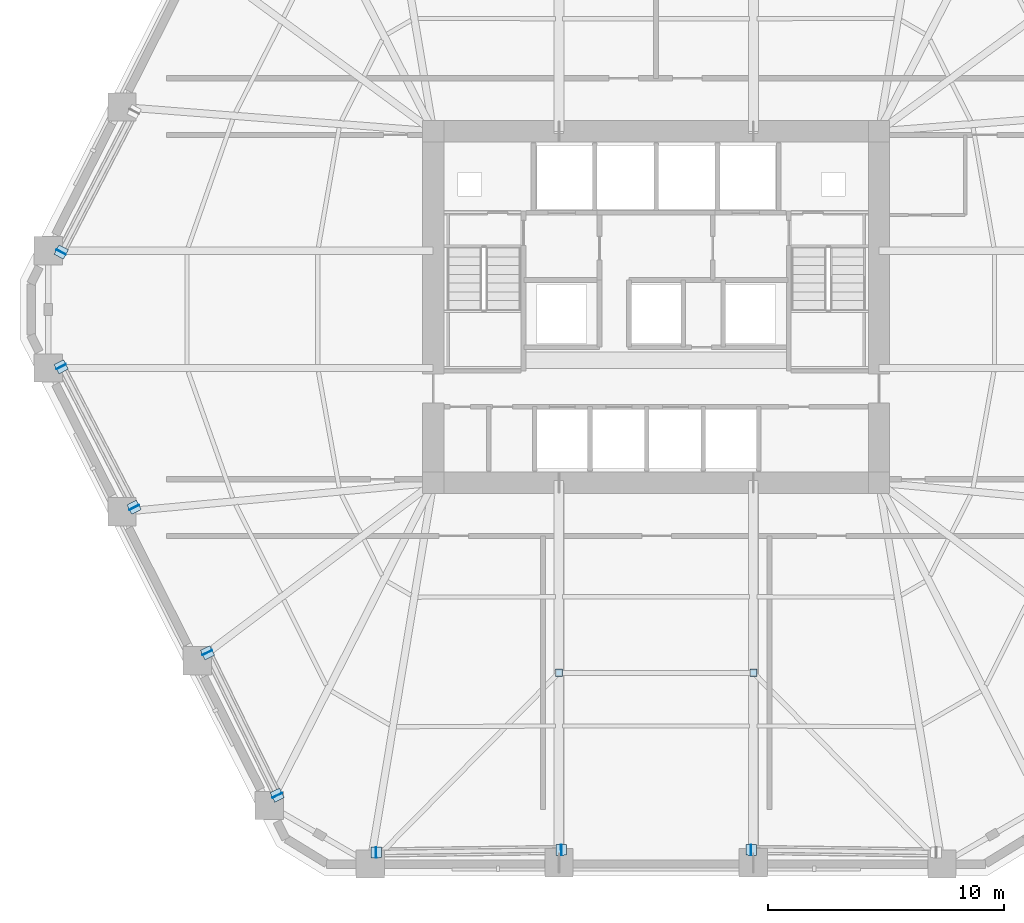
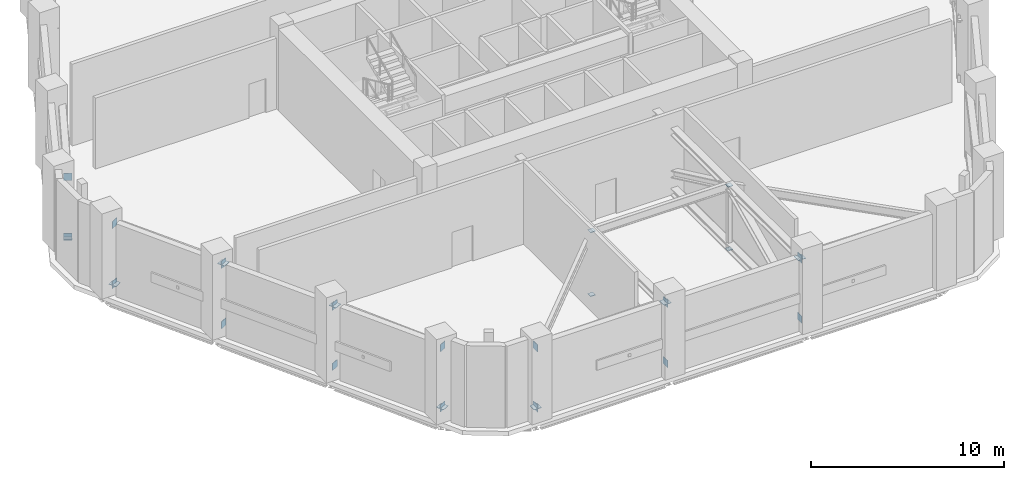
# One storey, part 7 of 19: 28 plates.
"""IFC4 building model written with IfcOpenShell, lengths in metres."""

from ifc_helpers import new_model, si_unit, direction, frame, origin, origin_2d, place, context, subcontext, project, spatial, rectangle, extrude, material, layer, layer_set, type_object, element, save


model = new_model("IFC4")

# Units and contexts
model_context = context("Model", 3, precision=1e-05, world=origin(), true_north=direction((0.0, 1.0)))
body_context = subcontext(model_context, "Body", "Model", "MODEL_VIEW")
ifc_project = project(units=[si_unit("LENGTHUNIT", "METRE"), si_unit("AREAUNIT", "SQUARE_METRE"), si_unit("VOLUMEUNIT", "CUBIC_METRE"), si_unit("PLANEANGLEUNIT", "RADIAN"), si_unit("MASSUNIT", "GRAM", prefix="KILO")], contexts=[model_context])

# Site, building, storey
site_placement = place(None, origin())
site = spatial("IfcSite", under=ifc_project, at=site_placement, CompositionType="ELEMENT")
building_placement = place(site_placement, origin())
building = spatial("IfcBuilding", under=site, at=building_placement, Name="Cinnabar Lancet Tower", CompositionType="ELEMENT")
storey_placement = place(building_placement, frame((0.0, 0.0, 74.60009765625)))
storey = spatial("IfcBuildingStorey", under=building, at=storey_placement, Name="L19", CompositionType="ELEMENT", Elevation=74.60009765625)

# Plates
ifc_material = material(Name="Structural steel S460", Category="steel")
ifc_layer = layer(ifc_material, 0.030029296875)
ifc_layer_set = layer_set([ifc_layer], Name="Structural steel S460")
plate_type = type_object("IfcPlateType", Name="STR-PL-CAP-25", PredefinedType="SHEET", material=ifc_layer_set)
for number, where, z_axis, x_axis, name in (
    (1, (28.278076171875, 10.39599609375, -0.02490234375), (0.0, 0.0, 1.0), (1.0, 0.0, 0.0), "Hollow section end cap plate CP-OTVP-L19-1B"),
    (2, (28.278076171875, 10.39599609375, 4.02490234375), (0.0, 0.0, 1.0), (1.0, 0.0, 0.0), "Hollow section end cap plate CP-OTVP-L19-1T"),
    (3, (36.52197265625, 10.39599609375, -0.02490234375), (0.0, 0.0, 1.0), (1.0, 0.0, 0.0), "Hollow section end cap plate CP-OTVP-L19-2B"),
    (4, (36.52197265625, 10.39599609375, 4.02490234375), (0.0, 0.0, 1.0), (1.0, 0.0, 0.0), "Hollow section end cap plate CP-OTVP-L19-2T"),
):
    element("IfcPlate", number, at=place(storey_placement, frame(where, z_axis=z_axis, x_axis=x_axis)), inside=storey, type_object=plate_type, Name=name, PredefinedType="SHEET", context=body_context, shape_type="SweptSolid", body=[
        extrude(rectangle(XDim=0.300048828125, YDim=0.300048828125, at=origin_2d()), origin(), (0.0, 0.0, 1.0), 0.030029296875),
    ])
for number, where, z_axis, x_axis, name in (
    (5, (20.527099609375, 2.778076171875, -0.0048828125), (0.0, 0.0, 1.0), (-0.999908520976, -0.013525889243, 0.0), "Hollow section end cap plate CP-BTC-L19-1-1-BC0"),
    (6, (28.381103515625, 2.884033203125, -0.0048828125), (0.0, 0.0, 1.0), (0.999908520976, 0.013525889243, 0.0), "Hollow section end cap plate CP-BTC-L19-1-1-BC1"),
    (7, (20.527099609375, 2.778076171875, 3.8046875), (0.0, 0.0, 1.0), (-0.999908520976, -0.013525889243, 0.0), "Hollow section end cap plate CP-BTC-L19-1-1-TC0"),
    (8, (28.381103515625, 2.884033203125, 3.8046875), (0.0, 0.0, 1.0), (0.999908520976, 0.013525889243, 0.0), "Hollow section end cap plate CP-BTC-L19-1-1-TC1"),
):
    element("IfcPlate", number, at=place(storey_placement, frame(where, z_axis=z_axis, x_axis=x_axis)), inside=storey, type_object=plate_type, Name=name, PredefinedType="SHEET", context=body_context, shape_type="SweptSolid", body=[
        extrude(rectangle(XDim=0.030029296875, YDim=0.449951171875, at=origin_2d()), origin(), (0.0, 0.0, 1.0), 0.449951171875),
    ])
for number, where, z_axis, x_axis, name in (
    (9, (20.534912109375, 2.778076171875, 0.19482421875), (0.0, 0.0, 1.0), (-0.999908520976, -0.013525889243, 0.0), "Hollow section end cap plate CP-BTD-L19-1-1-0"),
    (10, (28.373046875, 2.884033203125, 4.02490234375), (0.0, 0.0, 1.0), (0.999908520976, 0.013525889243, 0.0), "Hollow section end cap plate CP-BTD-L19-1-1-1"),
):
    element("IfcPlate", number, at=place(storey_placement, frame(where, z_axis=z_axis, x_axis=x_axis)), inside=storey, type_object=plate_type, Name=name, PredefinedType="SHEET", context=body_context, shape_type="SweptSolid", body=[
        extrude(rectangle(XDim=0.449951171875, YDim=0.449951171875, at=origin_2d()), origin(), (0.0, 0.0, 1.0), 0.030029296875),
    ])
for number, where, z_axis, x_axis, name in (
    (11, (36.4189453125, 2.884033203125, -0.0048828125), (0.0, 0.0, 1.0), (-0.999908520976, 0.013525889243, 0.0), "Hollow section end cap plate CP-BTC-L19-1-3-BC0"),
    (12, (36.4189453125, 2.884033203125, 3.8046875), (0.0, 0.0, 1.0), (-0.999908520976, 0.013525889243, 0.0), "Hollow section end cap plate CP-BTC-L19-1-3-TC0"),
):
    element("IfcPlate", number, at=place(storey_placement, frame(where, z_axis=z_axis, x_axis=x_axis)), inside=storey, type_object=plate_type, Name=name, PredefinedType="SHEET", context=body_context, shape_type="SweptSolid", body=[
        extrude(rectangle(XDim=0.030029296875, YDim=0.449951171875, at=origin_2d()), origin(), (0.0, 0.0, 1.0), 0.449951171875),
    ])
plate_1_placement = place(storey_placement, frame((36.427001953125, 2.884033203125, 4.02490234375), z_axis=(0.0, 0.0, 1.0), x_axis=(-0.999908520976, 0.013525889243, 0.0)))
element("IfcPlate", 13, at=plate_1_placement, inside=storey, type_object=plate_type, Name="Hollow section end cap plate CP-BTD-L19-1-3-0", PredefinedType="SHEET", context=body_context, shape_type="SweptSolid", body=[
    extrude(rectangle(XDim=0.449951171875, YDim=0.449951171875, at=origin_2d()), origin(), (0.0, 0.0, 1.0), 0.030029296875),
])
for number, where, z_axis, x_axis, name in (
    (14, (7.175048828125, 28.22607421875, -0.0048828125), (0.0, 0.0, 1.0), (-0.460649089564, -0.887582343382, 0.0), "Hollow section end cap plate CP-BTC-L19-5-3-BC1"),
    (15, (7.175048828125, 28.22607421875, 3.8046875), (0.0, 0.0, 1.0), (-0.460649089564, -0.887582343382, 0.0), "Hollow section end cap plate CP-BTC-L19-5-3-TC1"),
):
    element("IfcPlate", number, at=place(storey_placement, frame(where, z_axis=z_axis, x_axis=x_axis)), inside=storey, type_object=plate_type, Name=name, PredefinedType="SHEET", context=body_context, shape_type="SweptSolid", body=[
        extrude(rectangle(XDim=0.030029296875, YDim=0.449951171875, at=origin_2d()), origin(), (0.0, 0.0, 1.0), 0.449951171875),
    ])
plate_2_placement = place(storey_placement, frame((7.178955078125, 28.23291015625, 0.19482421875), z_axis=(0.0, 0.0, 1.0), x_axis=(-0.460649089564, -0.887582343382, 0.0)))
element("IfcPlate", 16, at=plate_2_placement, inside=storey, type_object=plate_type, Name="Hollow section end cap plate CP-BTD-L19-5-3-1", PredefinedType="SHEET", context=body_context, shape_type="SweptSolid", body=[
    extrude(rectangle(XDim=0.449951171875, YDim=0.449951171875, at=origin_2d()), origin(), (0.0, 0.0, 1.0), 0.030029296875),
])
for number, where, z_axis, x_axis, name in (
    (17, (7.175048828125, 23.3740234375, -0.0048828125), (0.0, 0.0, 1.0), (-0.460649089564, 0.887582343382, 0.0), "Hollow section end cap plate CP-BTC-L19-6-1-BC0"),
    (18, (10.27197265625, 17.407958984375, -0.0048828125), (0.0, 0.0, 1.0), (0.460649089564, -0.887582343382, 0.0), "Hollow section end cap plate CP-BTC-L19-6-1-BC1"),
    (19, (7.175048828125, 23.3740234375, 3.8046875), (0.0, 0.0, 1.0), (-0.460649089564, 0.887582343382, 0.0), "Hollow section end cap plate CP-BTC-L19-6-1-TC0"),
    (20, (10.27197265625, 17.407958984375, 3.8046875), (0.0, 0.0, 1.0), (0.460649089564, -0.887582343382, 0.0), "Hollow section end cap plate CP-BTC-L19-6-1-TC1"),
):
    element("IfcPlate", number, at=place(storey_placement, frame(where, z_axis=z_axis, x_axis=x_axis)), inside=storey, type_object=plate_type, Name=name, PredefinedType="SHEET", context=body_context, shape_type="SweptSolid", body=[
        extrude(rectangle(XDim=0.030029296875, YDim=0.449951171875, at=origin_2d()), origin(), (0.0, 0.0, 1.0), 0.449951171875),
    ])
for number, where, z_axis, x_axis, name in (
    (21, (7.178955078125, 23.366943359375, 0.19482421875), (0.0, 0.0, 1.0), (-0.460649089564, 0.887582343382, 0.0), "Hollow section end cap plate CP-BTD-L19-6-1-0"),
    (22, (10.26806640625, 17.4150390625, 4.02490234375), (0.0, 0.0, 1.0), (0.460649089564, -0.887582343382, 0.0), "Hollow section end cap plate CP-BTD-L19-6-1-1"),
):
    element("IfcPlate", number, at=place(storey_placement, frame(where, z_axis=z_axis, x_axis=x_axis)), inside=storey, type_object=plate_type, Name=name, PredefinedType="SHEET", context=body_context, shape_type="SweptSolid", body=[
        extrude(rectangle(XDim=0.449951171875, YDim=0.449951171875, at=origin_2d()), origin(), (0.0, 0.0, 1.0), 0.030029296875),
    ])
for number, where, z_axis, x_axis, name in (
    (23, (13.3740234375, 11.25, -0.0048828125), (0.0, 0.0, 1.0), (-0.439939169856, 0.898027575761, 0.0), "Hollow section end cap plate CP-BTC-L19-6-3-BC0"),
    (24, (16.339111328125, 5.199951171875, -0.0048828125), (0.0, 0.0, 1.0), (0.439939169856, -0.898027575761, 0.0), "Hollow section end cap plate CP-BTC-L19-6-3-BC1"),
    (25, (13.3740234375, 11.25, 3.8046875), (0.0, 0.0, 1.0), (-0.439939169856, 0.898027575761, 0.0), "Hollow section end cap plate CP-BTC-L19-6-3-TC0"),
    (26, (16.339111328125, 5.199951171875, 3.8046875), (0.0, 0.0, 1.0), (0.439939169856, -0.898027575761, 0.0), "Hollow section end cap plate CP-BTC-L19-6-3-TC1"),
):
    element("IfcPlate", number, at=place(storey_placement, frame(where, z_axis=z_axis, x_axis=x_axis)), inside=storey, type_object=plate_type, Name=name, PredefinedType="SHEET", context=body_context, shape_type="SweptSolid", body=[
        extrude(rectangle(XDim=0.030029296875, YDim=0.449951171875, at=origin_2d()), origin(), (0.0, 0.0, 1.0), 0.449951171875),
    ])
for number, where, z_axis, x_axis, name in (
    (27, (13.3779296875, 11.242919921875, 4.02490234375), (0.0, 0.0, 1.0), (-0.439939169856, 0.898027575761, 0.0), "Hollow section end cap plate CP-BTD-L19-6-3-0"),
    (28, (16.3349609375, 5.20703125, 0.19482421875), (0.0, 0.0, 1.0), (0.439939169856, -0.898027575761, 0.0), "Hollow section end cap plate CP-BTD-L19-6-3-1"),
):
    element("IfcPlate", number, at=place(storey_placement, frame(where, z_axis=z_axis, x_axis=x_axis)), inside=storey, type_object=plate_type, Name=name, PredefinedType="SHEET", context=body_context, shape_type="SweptSolid", body=[
        extrude(rectangle(XDim=0.449951171875, YDim=0.449951171875, at=origin_2d()), origin(), (0.0, 0.0, 1.0), 0.030029296875),
    ])

save(model, "model.ifc")
